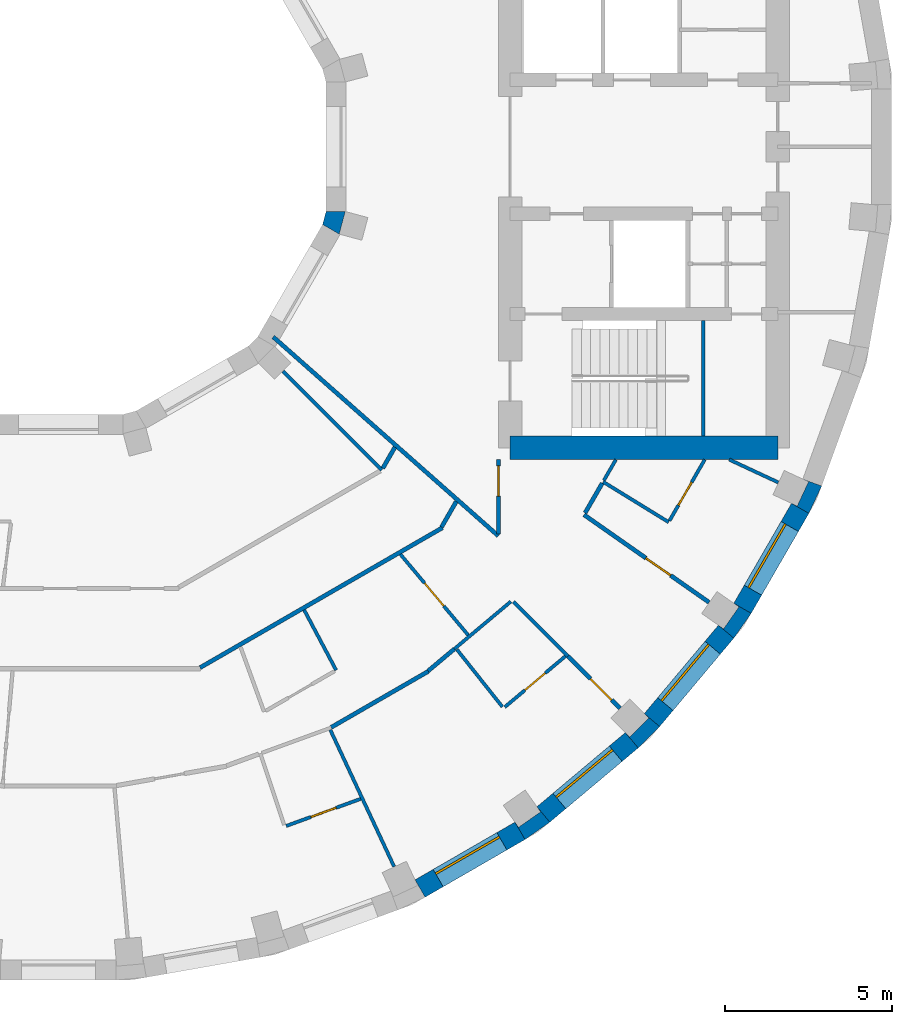
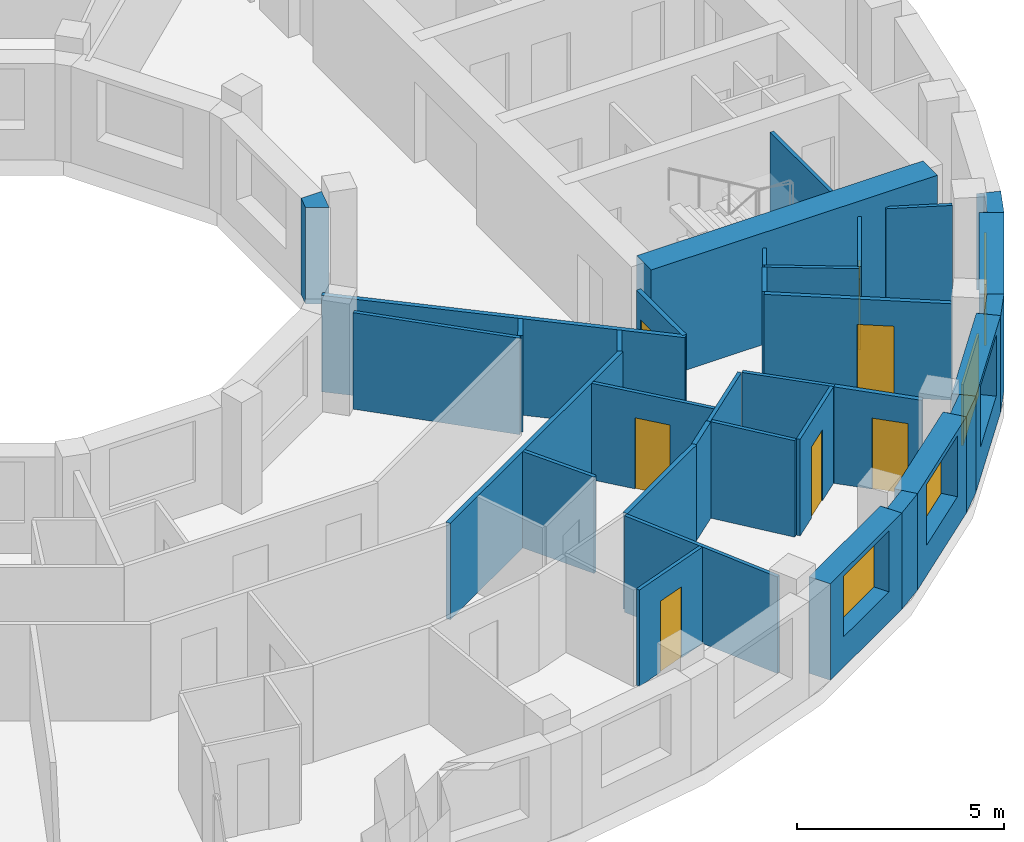
# One storey, part 7 of 13: 34 walls, 7 doors, 4 windows, 11 openings.
"""IFC4 building model written with IfcOpenShell, lengths in metres."""

from ifc_helpers import new_model, si_unit, direction, frame, frame_2d, origin, place, context, subcontext, project, spatial, polyline, rectangle, outline, extrude, material, layer, layer_set, type_object, element, fill, save


model = new_model("IFC4")

# Units and contexts
model_context = context("Model", 3, precision=1e-05, world=origin(), true_north=direction((0.0, 1.0)))
body_context = subcontext(model_context, "Body", "Model", "MODEL_VIEW")
ifc_project = project(units=[si_unit("LENGTHUNIT", "METRE"), si_unit("AREAUNIT", "SQUARE_METRE"), si_unit("VOLUMEUNIT", "CUBIC_METRE"), si_unit("PLANEANGLEUNIT", "RADIAN"), si_unit("MASSUNIT", "GRAM", prefix="KILO")], contexts=[model_context])

# Site, building, storey
site_placement = place(None, origin())
site = spatial("IfcSite", under=ifc_project, at=site_placement, CompositionType="ELEMENT")
building_placement = place(site_placement, origin())
building = spatial("IfcBuilding", under=site, at=building_placement, Name="Saqina Gate Tower", CompositionType="ELEMENT")
storey_placement = place(building_placement, frame((0.0, 0.0, 200.39990234375)))
storey = spatial("IfcBuildingStorey", under=building, at=storey_placement, Name="L57", CompositionType="ELEMENT", Elevation=200.39990234375)

# Walls
ifc_material_1 = material(Name="Brick masonry (buff)", Category="masonry")
wall_type_1 = type_object("IfcWallType", Name="BRICK PIER COPING BUFF", PredefinedType="SOLIDWALL", material=ifc_material_1)
wall_1_placement = place(storey_placement, origin())
element("IfcWall", 1, at=wall_1_placement, inside=storey, type_object=wall_type_1, Name="Pier cap L57 column 31", PredefinedType="SOLIDWALL", context=body_context, shape_type="SweptSolid", body=[
    extrude(outline(polyline([(13.9462890625, -20.705810546875), (14.687255859375, -20.18701171875), (14.301513671875, -19.727294921875), (14.408935546875, -19.880859375), (13.753662109375, -20.339599609375), (13.646240234375, -20.186279296875), (13.9462890625, -20.705810546875)])), origin(), (0.0, 0.0, 1.0), 2.85009765625),
])
wall_2_placement = place(storey_placement, origin())
element("IfcWall", 2, at=wall_2_placement, inside=storey, type_object=wall_type_1, Name="Pier cap L57 column 32", PredefinedType="SOLIDWALL", context=body_context, shape_type="SweptSolid", body=[
    extrude(outline(polyline([(17.969482421875, -17.329833984375), (17.510009765625, -16.944091796875), (17.642333984375, -17.07666015625), (17.07666015625, -17.642333984375), (16.944091796875, -17.510009765625), (17.329833984375, -17.969482421875), (17.969482421875, -17.329833984375)])), origin(), (0.0, 0.0, 1.0), 2.85009765625),
])
wall_3_placement = place(storey_placement, origin())
element("IfcWall", 3, at=wall_3_placement, inside=storey, type_object=wall_type_1, Name="Pier cap L57 column 33", PredefinedType="SOLIDWALL", context=body_context, shape_type="SweptSolid", body=[
    extrude(outline(polyline([(20.18701171875, -14.687255859375), (20.705810546875, -13.9462890625), (20.186279296875, -13.646240234375), (20.339599609375, -13.753662109375), (19.880859375, -14.408935546875), (19.727294921875, -14.301513671875), (20.18701171875, -14.687255859375)])), origin(), (0.0, 0.0, 1.0), 2.85009765625),
])
wall_4_placement = place(storey_placement, origin())
element("IfcWall", 4, at=wall_4_placement, inside=storey, type_object=wall_type_1, Name="Pier cap L57 column 34", PredefinedType="SOLIDWALL", context=body_context, shape_type="SweptSolid", body=[
    extrude(outline(polyline([(22.81298828125, -10.138916015625), (22.249267578125, -9.93359375), (22.4189453125, -10.0126953125), (22.080810546875, -10.73779296875), (21.9111328125, -10.65869140625), (22.4306640625, -10.958740234375), (22.81298828125, -10.138916015625)])), origin(), (0.0, 0.0, 1.0), 2.85009765625),
])

# Wall, opening, window
ifc_material_2 = material(Name="Brick masonry (buff)", Category="masonry")
ifc_layer_1 = layer(ifc_material_2, 0.60009765625)
ifc_layer_set_1 = layer_set([ifc_layer_1], Name="FW-BRICK-BUFF")
wall_type_2 = type_object("IfcWallType", Name="FW-BRICK-BUFF", PredefinedType="SOLIDWALL", material=ifc_layer_set_1)
wall_5_placement = place(storey_placement, frame((10.80859375, -22.1708984375, 0.0), z_axis=(0.0, 0.0, 1.0), x_axis=(0.86602648383, 0.499998129301, 0.0)))
wall_5 = element("IfcWall", 5, at=wall_5_placement, inside=storey, type_object=wall_type_2, Name="Facade wall L57 facet 30", PredefinedType="SOLIDWALL", context=body_context, shape_type="SweptSolid", body=[
    extrude(rectangle(XDim=3.44970703125, YDim=0.60009765625, at=frame_2d((1.724853515625, 0.0))), origin(), (0.0, 0.0, 1.0), 2.85009765625),
])
opening_1_placement = place(wall_5_placement, frame((0.625, 0.0, 0.89990234375)))
opening_1 = element("IfcOpeningElement", 6, at=opening_1_placement, cuts=wall_5, Name="Opening G17-W19", PredefinedType="OPENING", context=body_context, shape_type="SweptSolid", body=[
    extrude(rectangle(XDim=2.199951171875, YDim=1.800048828125, at=frame_2d((1.10009765625, 0.89990234375))), frame((0.0, 0.31201171875, 0.0), z_axis=(0.0, -1.0, 0.0), x_axis=(1.0, 0.0, 0.0)), (0.0, 0.0, 1.0), 0.6240234375),
])
ifc_material_3 = material(Name="Aluminium glazing", Category="aluminium")
window_type = type_object("IfcWindowType", Name="WN-C", PartitioningType="SINGLE_PANEL", PredefinedType="WINDOW", material=ifc_material_3)
window_1_placement = place(opening_1_placement, origin())
window_1 = element("IfcWindow", 7, at=window_1_placement, inside=storey, type_object=window_type, Name="Window L57 facet 30", OverallHeight=1.800048828125, OverallWidth=2.199951171875, PartitioningType="SINGLE_PANEL", PredefinedType="WINDOW", context=body_context, shape_type="SweptSolid", body=[
    extrude(rectangle(XDim=2.199951171875, YDim=1.800048828125, at=frame_2d((1.10009765625, 0.89990234375))), frame((0.0, 0.179931640625, 0.0), z_axis=(0.0, -1.0, 0.0), x_axis=(1.0, 0.0, 0.0)), (0.0, 0.0, 1.0), 0.06005859375),
])
fill(opening_1, window_1)

wall_6_placement = place(storey_placement, frame((14.494384765625, -19.95703125, 0.0), z_axis=(0.0, 0.0, 1.0), x_axis=(0.766058884809, 0.642770398358, 0.0)))
wall_6 = element("IfcWall", 8, at=wall_6_placement, inside=storey, type_object=wall_type_2, Name="Facade wall L57 facet 31", PredefinedType="SOLIDWALL", context=body_context, shape_type="SweptSolid", body=[
    extrude(rectangle(XDim=3.449462890625, YDim=0.60009765625, at=frame_2d((1.724609375, 0.0))), origin(), (0.0, 0.0, 1.0), 2.85009765625),
])
opening_2_placement = place(wall_6_placement, frame((0.625, 0.0, 0.89990234375)))
opening_2 = element("IfcOpeningElement", 9, at=opening_2_placement, cuts=wall_6, Name="Opening G17-W20", PredefinedType="OPENING", context=body_context, shape_type="SweptSolid", body=[
    extrude(rectangle(XDim=2.199951171875, YDim=1.800048828125, at=frame_2d((1.10009765625, 0.89990234375))), frame((0.0, 0.31201171875, 0.0), z_axis=(0.0, -1.0, 0.0), x_axis=(1.0, 0.0, 0.0)), (0.0, 0.0, 1.0), 0.6240234375),
])
window_2_placement = place(opening_2_placement, origin())
window_2 = element("IfcWindow", 10, at=window_2_placement, inside=storey, type_object=window_type, Name="Window L57 facet 31", OverallHeight=1.800048828125, OverallWidth=2.199951171875, PartitioningType="SINGLE_PANEL", PredefinedType="WINDOW", context=body_context, shape_type="SweptSolid", body=[
    extrude(rectangle(XDim=2.199951171875, YDim=1.800048828125, at=frame_2d((1.10009765625, 0.89990234375))), frame((0.0, 0.179931640625, 0.0), z_axis=(0.0, -1.0, 0.0), x_axis=(1.0, 0.0, 0.0)), (0.0, 0.0, 1.0), 0.06005859375),
])
fill(opening_2, window_2)

wall_7_placement = place(storey_placement, frame((17.73974609375, -17.136962890625, 0.0), z_axis=(0.0, 0.0, 1.0), x_axis=(0.642770398358, 0.766058884809, 0.0)))
wall_7 = element("IfcWall", 11, at=wall_7_placement, inside=storey, type_object=wall_type_2, Name="Facade wall L57 facet 32", PredefinedType="SOLIDWALL", context=body_context, shape_type="SweptSolid", body=[
    extrude(rectangle(XDim=3.449462890625, YDim=0.60009765625, at=frame_2d((1.724609375, 0.0))), origin(), (0.0, 0.0, 1.0), 2.85009765625),
])
opening_3_placement = place(wall_7_placement, frame((0.625, 0.0, 0.89990234375)))
opening_3 = element("IfcOpeningElement", 12, at=opening_3_placement, cuts=wall_7, Name="Opening G17-W21", PredefinedType="OPENING", context=body_context, shape_type="SweptSolid", body=[
    extrude(rectangle(XDim=2.199951171875, YDim=1.800048828125, at=frame_2d((1.10009765625, 0.89990234375))), frame((0.0, 0.31201171875, 0.0), z_axis=(0.0, -1.0, 0.0), x_axis=(1.0, 0.0, 0.0)), (0.0, 0.0, 1.0), 0.6240234375),
])
window_3_placement = place(opening_3_placement, origin())
window_3 = element("IfcWindow", 13, at=window_3_placement, inside=storey, type_object=window_type, Name="Window L57 facet 32", OverallHeight=1.800048828125, OverallWidth=2.199951171875, PartitioningType="SINGLE_PANEL", PredefinedType="WINDOW", context=body_context, shape_type="SweptSolid", body=[
    extrude(rectangle(XDim=2.199951171875, YDim=1.800048828125, at=frame_2d((1.10009765625, 0.89990234375))), frame((0.0, 0.179931640625, 0.0), z_axis=(0.0, -1.0, 0.0), x_axis=(1.0, 0.0, 0.0)), (0.0, 0.0, 1.0), 0.06005859375),
])
fill(opening_3, window_3)

wall_8_placement = place(storey_placement, frame((20.446044921875, -13.796142578125, 0.0), z_axis=(0.0, 0.0, 1.0), x_axis=(0.499998129301, 0.86602648383, 0.0)))
wall_8 = element("IfcWall", 14, at=wall_8_placement, inside=storey, type_object=wall_type_2, Name="Facade wall L57 facet 33", PredefinedType="SOLIDWALL", context=body_context, shape_type="SweptSolid", body=[
    extrude(rectangle(XDim=3.44970703125, YDim=0.60009765625, at=frame_2d((1.724853515625, 0.0))), origin(), (0.0, 0.0, 1.0), 2.85009765625),
])
opening_4_placement = place(wall_8_placement, frame((0.625, 0.0, 0.89990234375)))
opening_4 = element("IfcOpeningElement", 15, at=opening_4_placement, cuts=wall_8, Name="Opening G17-W22", PredefinedType="OPENING", context=body_context, shape_type="SweptSolid", body=[
    extrude(rectangle(XDim=2.199951171875, YDim=1.800048828125, at=frame_2d((1.10009765625, 0.89990234375))), frame((0.0, 0.31201171875, 0.0), z_axis=(0.0, -1.0, 0.0), x_axis=(1.0, 0.0, 0.0)), (0.0, 0.0, 1.0), 0.6240234375),
])
window_4_placement = place(opening_4_placement, origin())
window_4 = element("IfcWindow", 16, at=window_4_placement, inside=storey, type_object=window_type, Name="Window L57 facet 33", OverallHeight=1.800048828125, OverallWidth=2.199951171875, PartitioningType="SINGLE_PANEL", PredefinedType="WINDOW", context=body_context, shape_type="SweptSolid", body=[
    extrude(rectangle(XDim=2.199951171875, YDim=1.800048828125, at=frame_2d((1.10009765625, 0.89990234375))), frame((0.0, 0.179931640625, 0.0), z_axis=(0.0, -1.0, 0.0), x_axis=(1.0, 0.0, 0.0)), (0.0, 0.0, 1.0), 0.06005859375),
])
fill(opening_4, window_4)

# Walls
ifc_material_4 = material(Name="Gypsum board on steel studs, 100 mm", Category="steel")
ifc_layer_2 = layer(ifc_material_4, 0.10009765625)
ifc_layer_set_2 = layer_set([ifc_layer_2], Name="PARTITION 100")
wall_type_3 = type_object("IfcWallType", Name="PARTITION 100", PredefinedType="PARTITIONING", material=ifc_layer_set_2)
wall_9_placement = place(storey_placement, frame((8.125244140625, -17.4267578125, 0.0), z_axis=(0.0, 0.0, 1.0), x_axis=(0.422852881861, -0.906198344901, 0.0)))
element("IfcWall", 17, at=wall_9_placement, inside=storey, type_object=wall_type_3, Name="PARTITION PW3-07", PredefinedType="PARTITIONING", context=body_context, shape_type="SweptSolid", body=[
    extrude(rectangle(XDim=4.51220703125, YDim=0.10009765625, at=frame_2d((2.256103515625, 0.0))), origin(), (0.0, 0.0, 1.0), 2.85009765625),
])
wall_10_placement = place(storey_placement, frame((7.344970703125, -13.845458984375, 0.0), z_axis=(0.0, 0.0, 1.0), x_axis=(0.46899451783, -0.883201076905, 0.0)))
element("IfcWall", 18, at=wall_10_placement, inside=storey, type_object=wall_type_3, Name="PARTITION PW3-09", PredefinedType="PARTITIONING", context=body_context, shape_type="SweptSolid", body=[
    extrude(rectangle(XDim=2.036376953125, YDim=0.10009765625, at=frame_2d((1.01806640625, 0.0))), origin(), (0.0, 0.0, 1.0), 2.85009765625),
])
wall_11_placement = place(storey_placement, frame((11.91162109375, -15.028076171875, 0.0), z_axis=(0.0, 0.0, 1.0), x_axis=(0.621158069359, -0.783685302191, 0.0)))
element("IfcWall", 19, at=wall_11_placement, inside=storey, type_object=wall_type_3, Name="PARTITION PW3-13", PredefinedType="PARTITIONING", context=body_context, shape_type="SweptSolid", body=[
    extrude(rectangle(XDim=2.18408203125, YDim=0.10009765625, at=frame_2d((1.092041015625, 0.0))), origin(), (0.0, 0.0, 1.0), 2.85009765625),
])

# Wall, opening, door
wall_12_placement = place(storey_placement, frame((10.222900390625, -12.183837890625, 0.0), z_axis=(0.0, 0.0, 1.0), x_axis=(0.642811941649, -0.766024025519, 0.0)))
wall_12 = element("IfcWall", 20, at=wall_12_placement, inside=storey, type_object=wall_type_3, Name="PARTITION PW3-16", PredefinedType="PARTITIONING", context=body_context, shape_type="SweptSolid", body=[
    extrude(rectangle(XDim=3.1484375, YDim=0.10009765625, at=frame_2d((1.57421875, 0.0))), origin(), (0.0, 0.0, 1.0), 2.85009765625),
])
opening_5_placement = place(wall_12_placement, frame((1.117919921875, 0.0, 0.0)))
opening_5 = element("IfcOpeningElement", 21, at=opening_5_placement, cuts=wall_12, Name="Opening G17-D42", PredefinedType="OPENING", context=body_context, shape_type="SweptSolid", body=[
    extrude(rectangle(XDim=0.89990234375, YDim=2.10009765625, at=frame_2d((0.449951171875, 1.050048828125))), frame((0.0, 0.06201171875, 0.0), z_axis=(0.0, -1.0, 0.0), x_axis=(1.0, 0.0, 0.0)), (0.0, 0.0, 1.0), 0.1240234375),
])
ifc_material_5 = material(Name="Timber door leaf, 900 mm", Category="wood")
door_type_1 = type_object("IfcDoorType", Name="DOOR 900 TIMBER", OperationType="SINGLE_SWING_LEFT", PredefinedType="DOOR", material=ifc_material_5)
door_1_placement = place(opening_5_placement, frame((0.89990234375, 0.0, 0.0), z_axis=(0.0, 0.0, 1.0), x_axis=(-1.0, 0.0, 0.0)))
door_1 = element("IfcDoor", 22, at=door_1_placement, inside=storey, type_object=door_type_1, Name="DOOR G17-D42", OperationType="SINGLE_SWING_RIGHT", OverallHeight=2.10009765625, OverallWidth=0.89990234375, PredefinedType="DOOR", context=body_context, shape_type="SweptSolid", body=[
    extrude(rectangle(XDim=0.89990234375, YDim=2.10009765625, at=frame_2d((0.449951171875, 1.050048828125))), frame((0.0, 0.02490234375, 0.0), z_axis=(0.0, -1.0, 0.0), x_axis=(1.0, 0.0, 0.0)), (0.0, 0.0, 1.0), 0.050048828125),
])
fill(opening_5, door_1)

# Walls
wall_13_placement = place(storey_placement, frame((13.596923828125, -13.597900390625, 0.0), z_axis=(0.0, 0.0, 1.0), x_axis=(0.707265532937, -0.706947993787, 0.0)))
element("IfcWall", 23, at=wall_13_placement, inside=storey, type_object=wall_type_3, Name="PARTITION PW3-21", PredefinedType="PARTITIONING", context=body_context, shape_type="SweptSolid", body=[
    extrude(rectangle(XDim=2.306640625, YDim=0.10009765625, at=frame_2d((1.1533203125, 0.0))), origin(), (0.0, 0.0, 1.0), 2.85009765625),
])
wall_14_placement = place(storey_placement, frame((6.7119140625, -6.7119140625, 0.0), z_axis=(0.0, 0.0, 1.0), x_axis=(0.707106781187, -0.707106781187, 0.0)))
element("IfcWall", 24, at=wall_14_placement, inside=storey, type_object=wall_type_3, Name="PARTITION PW3-22", PredefinedType="PARTITIONING", context=body_context, shape_type="SweptSolid", body=[
    extrude(rectangle(XDim=4.173583984375, YDim=0.10009765625, at=frame_2d((2.0869140625, 0.0))), origin(), (0.0, 0.0, 1.0), 2.85009765625),
])
wall_15_placement = place(storey_placement, frame((16.279052734375, -10.013916015625, 0.0), z_axis=(0.0, 0.0, 1.0), x_axis=(0.851672886374, -0.524073749214, 0.0)))
element("IfcWall", 25, at=wall_15_placement, inside=storey, type_object=wall_type_3, Name="PARTITION PW3-27", PredefinedType="PARTITIONING", context=body_context, shape_type="SweptSolid", body=[
    extrude(rectangle(XDim=2.30126953125, YDim=0.10009765625, at=frame_2d((1.150634765625, 0.0))), origin(), (0.0, 0.0, 1.0), 2.85009765625),
])
wall_16_placement = place(storey_placement, frame((20.051025390625, -9.35009765625, 0.0), z_axis=(0.0, 0.0, 1.0), x_axis=(0.906329754533, -0.422571149096, 0.0)))
element("IfcWall", 26, at=wall_16_placement, inside=storey, type_object=wall_type_3, Name="PARTITION PW3-32", PredefinedType="PARTITIONING", context=body_context, shape_type="SweptSolid", body=[
    extrude(rectangle(XDim=1.615966796875, YDim=0.10009765625, at=frame_2d((0.80810546875, 0.0))), origin(), (0.0, 0.0, 1.0), 2.85009765625),
])

# Wall, opening, door
wall_17_placement = place(storey_placement, frame((6.806884765625, -20.301025390625, 0.0), z_axis=(0.0, 0.0, 1.0), x_axis=(0.939763340539, 0.341825779863, 0.0)))
wall_17 = element("IfcWall", 27, at=wall_17_placement, inside=storey, type_object=wall_type_3, Name="PARTITION PW3-39", PredefinedType="PARTITIONING", context=body_context, shape_type="SweptSolid", body=[
    extrude(rectangle(XDim=2.369873046875, YDim=0.10009765625, at=frame_2d((1.18505859375, 0.0))), origin(), (0.0, 0.0, 1.0), 2.85009765625),
])
opening_6_placement = place(wall_17_placement, frame((0.785400390625, 0.0, 0.0)))
opening_6 = element("IfcOpeningElement", 28, at=opening_6_placement, cuts=wall_17, Name="Opening G17-D40", PredefinedType="OPENING", context=body_context, shape_type="SweptSolid", body=[
    extrude(rectangle(XDim=0.800048828125, YDim=2.10009765625, at=frame_2d((0.39990234375, 1.050048828125))), frame((0.0, 0.06201171875, 0.0), z_axis=(0.0, -1.0, 0.0), x_axis=(1.0, 0.0, 0.0)), (0.0, 0.0, 1.0), 0.1240234375),
])
ifc_material_6 = material(Name="Timber door leaf, 800 mm", Category="wood")
door_type_2 = type_object("IfcDoorType", Name="DOOR 800 TIMBER", OperationType="SINGLE_SWING_LEFT", PredefinedType="DOOR", material=ifc_material_6)
door_2_placement = place(opening_6_placement, frame((0.800048828125, 0.0, 0.0), z_axis=(0.0, 0.0, 1.0), x_axis=(-1.0, 0.0, 0.0)))
door_2 = element("IfcDoor", 29, at=door_2_placement, inside=storey, type_object=door_type_2, Name="DOOR G17-D40", OperationType="SINGLE_SWING_LEFT", OverallHeight=2.10009765625, OverallWidth=0.800048828125, PredefinedType="DOOR", context=body_context, shape_type="SweptSolid", body=[
    extrude(rectangle(XDim=0.800048828125, YDim=2.10009765625, at=frame_2d((0.39990234375, 1.050048828125))), frame((0.0, 0.02490234375, 0.0), z_axis=(0.0, -1.0, 0.0), x_axis=(1.0, 0.0, 0.0)), (0.0, 0.0, 1.0), 0.050048828125),
])
fill(opening_6, door_2)

wall_18_placement = place(storey_placement, frame((13.33935546875, -16.748779296875, 0.0), z_axis=(0.0, 0.0, 1.0), x_axis=(0.76592805341, 0.642926292042, 0.0)))
wall_18 = element("IfcWall", 30, at=wall_18_placement, inside=storey, type_object=wall_type_3, Name="PARTITION PW3-49", PredefinedType="PARTITIONING", context=body_context, shape_type="SweptSolid", body=[
    extrude(rectangle(XDim=2.369873046875, YDim=0.10009765625, at=frame_2d((1.18505859375, 0.0))), origin(), (0.0, 0.0, 1.0), 2.85009765625),
])
opening_7_placement = place(wall_18_placement, frame((0.785888671875, 0.0, 0.0)))
opening_7 = element("IfcOpeningElement", 31, at=opening_7_placement, cuts=wall_18, Name="Opening G17-D43", PredefinedType="OPENING", context=body_context, shape_type="SweptSolid", body=[
    extrude(rectangle(XDim=0.800048828125, YDim=2.10009765625, at=frame_2d((0.39990234375, 1.050048828125))), frame((0.0, 0.06201171875, 0.0), z_axis=(0.0, -1.0, 0.0), x_axis=(1.0, 0.0, 0.0)), (0.0, 0.0, 1.0), 0.1240234375),
])
door_3_placement = place(opening_7_placement, frame((0.800048828125, 0.0, 0.0), z_axis=(0.0, 0.0, 1.0), x_axis=(-1.0, 0.0, 0.0)))
door_3 = element("IfcDoor", 32, at=door_3_placement, inside=storey, type_object=door_type_2, Name="DOOR G17-D43", OperationType="SINGLE_SWING_LEFT", OverallHeight=2.10009765625, OverallWidth=0.800048828125, PredefinedType="DOOR", context=body_context, shape_type="SweptSolid", body=[
    extrude(rectangle(XDim=0.800048828125, YDim=2.10009765625, at=frame_2d((0.39990234375, 1.050048828125))), frame((0.0, 0.02490234375, 0.0), z_axis=(0.0, -1.0, 0.0), x_axis=(1.0, 0.0, 0.0)), (0.0, 0.0, 1.0), 0.050048828125),
])
fill(opening_7, door_3)

# Wall
wall_19_placement = place(storey_placement, frame((11.833740234375, -15.01025390625, 0.0), z_axis=(0.0, 0.0, 1.0), x_axis=(0.766038513467, 0.642794676305, 0.0)))
element("IfcWall", 33, at=wall_19_placement, inside=storey, type_object=wall_type_3, Name="PARTITION PW3-50", PredefinedType="PARTITIONING", context=body_context, shape_type="SweptSolid", body=[
    extrude(rectangle(XDim=2.204833984375, YDim=0.10009765625, at=frame_2d((1.1025390625, 0.0))), origin(), (0.0, 0.0, 1.0), 2.85009765625),
])

# Wall, opening, door
wall_20_placement = place(storey_placement, frame((18.263916015625, -11.1767578125, 0.0), z_axis=(0.0, 0.0, 1.0), x_axis=(0.499849385254, 0.866112343787, 0.0)))
wall_20 = element("IfcWall", 34, at=wall_20_placement, inside=storey, type_object=wall_type_3, Name="PARTITION PW3-57", PredefinedType="PARTITIONING", context=body_context, shape_type="SweptSolid", body=[
    extrude(rectangle(XDim=2.109130859375, YDim=0.10009765625, at=frame_2d((1.0546875, 0.0))), origin(), (0.0, 0.0, 1.0), 2.85009765625),
])
opening_8_placement = place(wall_20_placement, frame((0.529541015625, 0.0, 0.0)))
opening_8 = element("IfcOpeningElement", 35, at=opening_8_placement, cuts=wall_20, Name="Opening G17-D47", PredefinedType="OPENING", context=body_context, shape_type="SweptSolid", body=[
    extrude(rectangle(XDim=0.800048828125, YDim=2.10009765625, at=frame_2d((0.39990234375, 1.050048828125))), frame((0.0, 0.06201171875, 0.0), z_axis=(0.0, -1.0, 0.0), x_axis=(1.0, 0.0, 0.0)), (0.0, 0.0, 1.0), 0.1240234375),
])
door_4_placement = place(opening_8_placement, frame((0.800048828125, 0.0, 0.0), z_axis=(0.0, 0.0, 1.0), x_axis=(-1.0, 0.0, 0.0)))
door_4 = element("IfcDoor", 36, at=door_4_placement, inside=storey, type_object=door_type_2, Name="DOOR G17-D47", OperationType="SINGLE_SWING_RIGHT", OverallHeight=2.10009765625, OverallWidth=0.800048828125, PredefinedType="DOOR", context=body_context, shape_type="SweptSolid", body=[
    extrude(rectangle(XDim=0.800048828125, YDim=2.10009765625, at=frame_2d((0.39990234375, 1.050048828125))), frame((0.0, 0.02490234375, 0.0), z_axis=(0.0, -1.0, 0.0), x_axis=(1.0, 0.0, 0.0)), (0.0, 0.0, 1.0), 0.050048828125),
])
fill(opening_8, door_4)

# Wall
wall_21_placement = place(storey_placement, frame((16.303955078125, -9.970703125, 0.0), z_axis=(0.0, 0.0, 1.0), x_axis=(0.499840435016, 0.866117509073, 0.0)))
element("IfcWall", 37, at=wall_21_placement, inside=storey, type_object=wall_type_3, Name="PARTITION PW3-58", PredefinedType="PARTITIONING", context=body_context, shape_type="SweptSolid", body=[
    extrude(rectangle(XDim=0.716552734375, YDim=0.10009765625, at=frame_2d((0.3583984375, 0.0))), origin(), (0.0, 0.0, 1.0), 2.85009765625),
])

# Wall, opening, door
ifc_material_7 = material(Name="Gypsum board on steel studs, 125 mm, fire rated", Category="steel")
ifc_layer_3 = layer(ifc_material_7, 0.125)
ifc_layer_set_3 = layer_set([ifc_layer_3], Name="PARTITION EI 30 125")
wall_type_4 = type_object("IfcWallType", Name="PARTITION EI 30 125", PredefinedType="PARTITIONING", material=ifc_layer_set_3)
wall_22_placement = place(storey_placement, frame((15.228271484375, -15.228515625, 0.0), z_axis=(0.0, 0.0, 1.0), x_axis=(0.707328305851, -0.7068851871, 0.0)))
wall_22 = element("IfcWall", 38, at=wall_22_placement, inside=storey, type_object=wall_type_4, Name="PARTITION PW1-07", PredefinedType="PARTITIONING", context=body_context, shape_type="SweptSolid", body=[
    extrude(rectangle(XDim=2.203857421875, YDim=0.125, at=frame_2d((1.10205078125, 0.0))), origin(), (0.0, 0.0, 1.0), 2.85009765625),
])
opening_9_placement = place(wall_22_placement, frame((0.954833984375, 0.0, 0.0)))
opening_9 = element("IfcOpeningElement", 39, at=opening_9_placement, cuts=wall_22, Name="Opening G17-D44", PredefinedType="OPENING", context=body_context, shape_type="SweptSolid", body=[
    extrude(rectangle(XDim=0.89990234375, YDim=2.10009765625, at=frame_2d((0.449951171875, 1.050048828125))), frame((0.0, 0.074462890625, 0.0), z_axis=(0.0, -1.0, 0.0), x_axis=(1.0, 0.0, 0.0)), (0.0, 0.0, 1.0), 0.14892578125),
])
ifc_material_8 = material(Name="Fire door leaf EI 30, 900 mm")
door_type_3 = type_object("IfcDoorType", Name="DOOR 900 EI 30", OperationType="SINGLE_SWING_LEFT", PredefinedType="DOOR", material=ifc_material_8)
door_5_placement = place(opening_9_placement, origin())
door_5 = element("IfcDoor", 40, at=door_5_placement, inside=storey, type_object=door_type_3, Name="DOOR G17-D44", OperationType="SINGLE_SWING_RIGHT", OverallHeight=2.10009765625, OverallWidth=0.89990234375, PredefinedType="DOOR", context=body_context, shape_type="SweptSolid", body=[
    extrude(rectangle(XDim=0.89990234375, YDim=2.10009765625, at=frame_2d((0.449951171875, 1.050048828125))), frame((0.0, 0.02490234375, 0.0), z_axis=(0.0, -1.0, 0.0), x_axis=(1.0, 0.0, 0.0)), (0.0, 0.0, 1.0), 0.050048828125),
])
fill(opening_9, door_5)

# Wall
wall_23_placement = place(storey_placement, frame((6.417724609375, -5.682373046875, 0.0), z_axis=(0.0, 0.0, 1.0), x_axis=(0.749233096006, -0.662306400278, 0.0)))
element("IfcWall", 41, at=wall_23_placement, inside=storey, type_object=wall_type_4, Name="PARTITION PW1-09", PredefinedType="PARTITIONING", context=body_context, shape_type="SweptSolid", body=[
    extrude(rectangle(XDim=8.98193359375, YDim=0.125, at=frame_2d((4.490966796875, 0.0))), origin(), (0.0, 0.0, 1.0), 2.85009765625),
])

# Wall, opening, door
wall_24_placement = place(storey_placement, frame((15.710205078125, -10.999755859375, 0.0), z_axis=(0.0, 0.0, 1.0), x_axis=(0.819118758933, -0.57362396983, 0.0)))
wall_24 = element("IfcWall", 42, at=wall_24_placement, inside=storey, type_object=wall_type_4, Name="PARTITION PW1-14", PredefinedType="PARTITIONING", context=body_context, shape_type="SweptSolid", body=[
    extrude(rectangle(XDim=4.561767578125, YDim=0.125, at=frame_2d((2.28076171875, 0.0))), origin(), (0.0, 0.0, 1.0), 2.85009765625),
])
opening_10_placement = place(wall_24_placement, frame((2.25927734375, 0.0, 0.0)))
opening_10 = element("IfcOpeningElement", 43, at=opening_10_placement, cuts=wall_24, Name="Opening G17-D46", PredefinedType="OPENING", context=body_context, shape_type="SweptSolid", body=[
    extrude(rectangle(XDim=0.89990234375, YDim=2.10009765625, at=frame_2d((0.449951171875, 1.050048828125))), frame((0.0, 0.074462890625, 0.0), z_axis=(0.0, -1.0, 0.0), x_axis=(1.0, 0.0, 0.0)), (0.0, 0.0, 1.0), 0.14892578125),
])
door_6_placement = place(opening_10_placement, frame((0.89990234375, 0.0, 0.0), z_axis=(0.0, 0.0, 1.0), x_axis=(-1.0, 0.0, 0.0)))
door_6 = element("IfcDoor", 44, at=door_6_placement, inside=storey, type_object=door_type_3, Name="DOOR G17-D46", OperationType="SINGLE_SWING_LEFT", OverallHeight=2.10009765625, OverallWidth=0.89990234375, PredefinedType="DOOR", context=body_context, shape_type="SweptSolid", body=[
    extrude(rectangle(XDim=0.89990234375, YDim=2.10009765625, at=frame_2d((0.449951171875, 1.050048828125))), frame((0.0, 0.02490234375, 0.0), z_axis=(0.0, -1.0, 0.0), x_axis=(1.0, 0.0, 0.0)), (0.0, 0.0, 1.0), 0.050048828125),
])
fill(opening_10, door_6)

# Walls
wall_25_placement = place(storey_placement, frame((8.150390625, -17.354736328125, 0.0), z_axis=(0.0, 0.0, 1.0), x_axis=(0.86608012654, 0.499905205426, 0.0)))
element("IfcWall", 45, at=wall_25_placement, inside=storey, type_object=wall_type_4, Name="PARTITION PW1-28", PredefinedType="PARTITIONING", context=body_context, shape_type="SweptSolid", body=[
    extrude(rectangle(XDim=3.353759765625, YDim=0.125, at=frame_2d((1.6767578125, 0.0))), origin(), (0.0, 0.0, 1.0), 2.85009765625),
])
wall_26_placement = place(storey_placement, frame((4.234130859375, -15.56884765625, 0.0), z_axis=(0.0, 0.0, 1.0), x_axis=(0.866024799292, 0.50000104701, 0.0)))
element("IfcWall", 46, at=wall_26_placement, inside=storey, type_object=wall_type_4, Name="PARTITION PW1-29", PredefinedType="PARTITIONING", context=body_context, shape_type="SweptSolid", body=[
    extrude(rectangle(XDim=8.36962890625, YDim=0.125, at=frame_2d((4.184814453125, 0.0))), origin(), (0.0, 0.0, 1.0), 2.85009765625),
])
wall_27_placement = place(storey_placement, frame((11.0478515625, -15.669921875, 0.0), z_axis=(0.0, 0.0, 1.0), x_axis=(0.765934498954, 0.642918613288, 0.0)))
element("IfcWall", 47, at=wall_27_placement, inside=storey, type_object=wall_type_4, Name="PARTITION PW1-34", PredefinedType="PARTITIONING", context=body_context, shape_type="SweptSolid", body=[
    extrude(rectangle(XDim=1.026123046875, YDim=0.125, at=frame_2d((0.51318359375, 0.0))), origin(), (0.0, 0.0, 1.0), 2.85009765625),
])
wall_28_placement = place(storey_placement, frame((15.7421875, -10.944091796875, 0.0), z_axis=(0.0, 0.0, 1.0), x_axis=(0.499832553123, 0.866122057702, 0.0)))
element("IfcWall", 48, at=wall_28_placement, inside=storey, type_object=wall_type_4, Name="PARTITION PW1-40", PredefinedType="PARTITIONING", context=body_context, shape_type="SweptSolid", body=[
    extrude(rectangle(XDim=1.023681640625, YDim=0.125, at=frame_2d((0.51171875, 0.0))), origin(), (0.0, 0.0, 1.0), 2.85009765625),
])
wall_29_placement = place(storey_placement, frame((11.451171875, -11.365966796875, 0.0), z_axis=(0.0, 0.0, 1.0), x_axis=(0.500018690203, 0.866014612722, 0.0)))
element("IfcWall", 49, at=wall_29_placement, inside=storey, type_object=wall_type_4, Name="PARTITION PW1-41", PredefinedType="PARTITIONING", context=body_context, shape_type="SweptSolid", body=[
    extrude(rectangle(XDim=0.8798828125, YDim=0.125, at=frame_2d((0.43994140625, 0.0))), origin(), (0.0, 0.0, 1.0), 2.85009765625),
])
wall_30_placement = place(storey_placement, frame((9.6943359375, -9.60888671875, 0.0), z_axis=(0.0, 0.0, 1.0), x_axis=(0.500333617031, 0.865832704204, 0.0)))
element("IfcWall", 50, at=wall_30_placement, inside=storey, type_object=wall_type_4, Name="PARTITION PW1-42", PredefinedType="PARTITIONING", context=body_context, shape_type="SweptSolid", body=[
    extrude(rectangle(XDim=0.72607421875, YDim=0.125, at=frame_2d((0.363037109375, 0.0))), origin(), (0.0, 0.0, 1.0), 2.85009765625),
])

# Wall, opening, door
wall_31_placement = place(storey_placement, frame((13.14990234375, -11.5673828125, 0.0), z_axis=(0.0, 0.0, 1.0), x_axis=(0.0, 1.0, 0.0)))
wall_31 = element("IfcWall", 51, at=wall_31_placement, inside=storey, type_object=wall_type_4, Name="PARTITION PW1-46", PredefinedType="PARTITIONING", context=body_context, shape_type="SweptSolid", body=[
    extrude(rectangle(XDim=2.21630859375, YDim=0.125, at=frame_2d((1.108154296875, 0.0))), origin(), (0.0, 0.0, 1.0), 2.85009765625),
])
opening_11_placement = place(wall_31_placement, frame((1.126953125, 0.0, 0.0)))
opening_11 = element("IfcOpeningElement", 52, at=opening_11_placement, cuts=wall_31, Name="Opening G17-D45", PredefinedType="OPENING", context=body_context, shape_type="SweptSolid", body=[
    extrude(rectangle(XDim=0.89990234375, YDim=2.10009765625, at=frame_2d((0.449951171875, 1.050048828125))), frame((0.0, 0.074462890625, 0.0), z_axis=(0.0, -1.0, 0.0), x_axis=(1.0, 0.0, 0.0)), (0.0, 0.0, 1.0), 0.14892578125),
])
door_7_placement = place(opening_11_placement, frame((0.89990234375, 0.0, 0.0), z_axis=(0.0, 0.0, 1.0), x_axis=(-1.0, 0.0, 0.0)))
door_7 = element("IfcDoor", 53, at=door_7_placement, inside=storey, type_object=door_type_3, Name="DOOR G17-D45", OperationType="SINGLE_SWING_LEFT", OverallHeight=2.10009765625, OverallWidth=0.89990234375, PredefinedType="DOOR", context=body_context, shape_type="SweptSolid", body=[
    extrude(rectangle(XDim=0.89990234375, YDim=2.10009765625, at=frame_2d((0.449951171875, 1.050048828125))), frame((0.0, 0.02490234375, 0.0), z_axis=(0.0, -1.0, 0.0), x_axis=(1.0, 0.0, 0.0)), (0.0, 0.0, 1.0), 0.050048828125),
])
fill(opening_11, door_7)

# Walls
ifc_material_9 = material(Name="Autoclaved aerated concrete block", Category="concrete")
ifc_layer_4 = layer(ifc_material_9, 0.10009765625)
ifc_layer_set_4 = layer_set([ifc_layer_4], Name="STAIR ENCLOSURE WALL")
wall_type_5 = type_object("IfcWallType", Name="STAIR ENCLOSURE WALL", PredefinedType="PARTITIONING", material=ifc_layer_set_4)
wall_32_placement = place(storey_placement, frame((19.27001953125, -8.64990234375, 0.0), z_axis=(0.0, 0.0, 1.0), x_axis=(0.0, 1.0, 0.0)))
element("IfcWall", 54, at=wall_32_placement, inside=storey, type_object=wall_type_5, Name="L57-CP-E14", PredefinedType="PARTITIONING", context=body_context, shape_type="SweptSolid", body=[
    extrude(rectangle(XDim=3.449951171875, YDim=0.10009765625, at=frame_2d((1.72509765625, 0.0))), origin(), (0.0, 0.0, 1.0), 2.85009765625),
])
ifc_material_10 = material(Name="Concrete C60/75", Category="concrete")
ifc_layer_5 = layer(ifc_material_10, 0.699951171875)
ifc_layer_set_5 = layer_set([ifc_layer_5], Name="Concrete C60/75")
wall_type_6 = type_object("IfcWallType", Name="STR-CORE WALL-C-O", PredefinedType="SHEAR", material=ifc_layer_set_5)
wall_33_placement = place(storey_placement, frame((13.5, -9.0, 0.0), z_axis=(0.0, 0.0, 1.0), x_axis=(1.0, 0.0, 0.0)))
element("IfcWall", 55, at=wall_33_placement, inside=storey, type_object=wall_type_6, Name="CORE WALL L57 E-SE", PredefinedType="SHEAR", context=body_context, shape_type="SweptSolid", body=[
    extrude(rectangle(XDim=8.0, YDim=0.699951171875, at=frame_2d((4.0, 0.0))), origin(), (0.0, 0.0, 1.0), 3.300048828125),
])
ifc_material_11 = material(Name="Glazed ceramic tile", Category="ceramic")
wall_type_7 = type_object("IfcWallType", Name="TILE PIER COPING", PredefinedType="SOLIDWALL", material=ifc_material_11)
wall_34_placement = place(storey_placement, origin())
element("IfcWall", 56, at=wall_34_placement, inside=storey, type_object=wall_type_7, Name="Well pier cap L57 column 12", PredefinedType="SOLIDWALL", context=body_context, shape_type="SweptSolid", body=[
    extrude(outline(polyline([(8.573486328125, -1.934814453125), (8.0, -1.934814453125), (7.895751953125, -2.32421875), (8.392333984375, -2.611083984375), (8.573486328125, -1.934814453125)])), origin(), (0.0, 0.0, 1.0), 2.85009765625),
])

save(model, "model.ifc")
